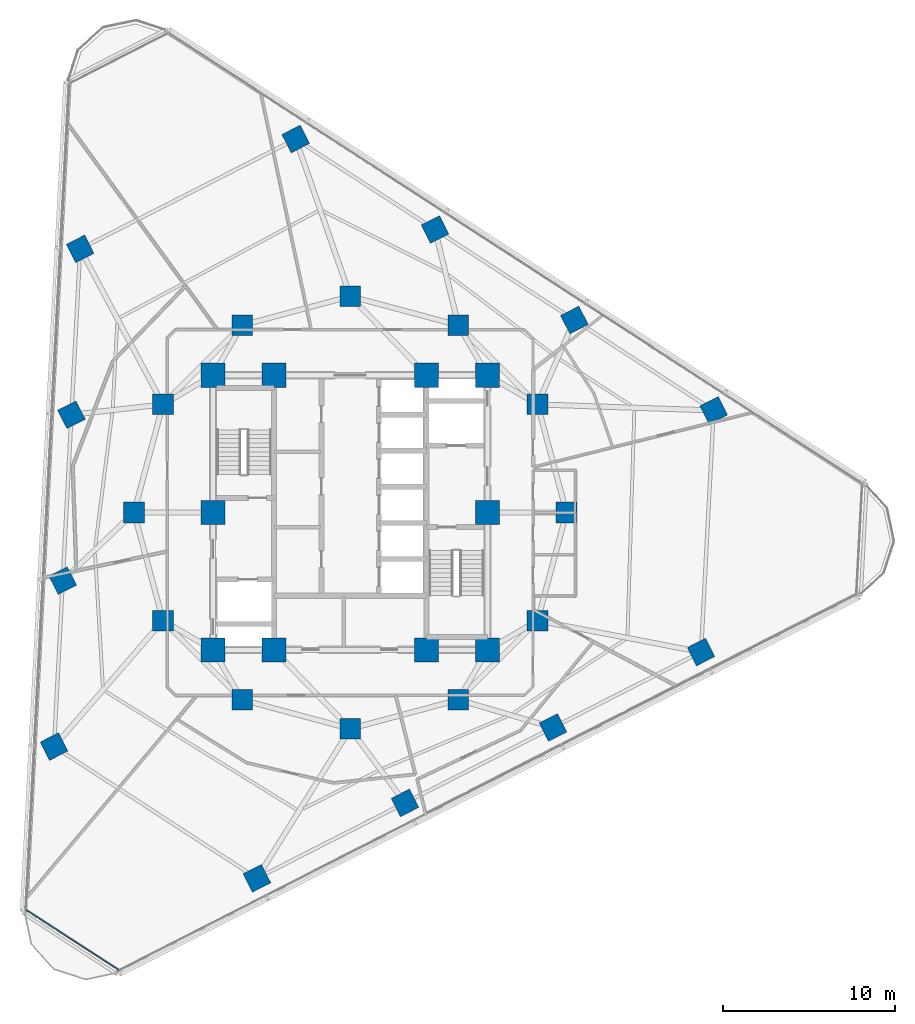
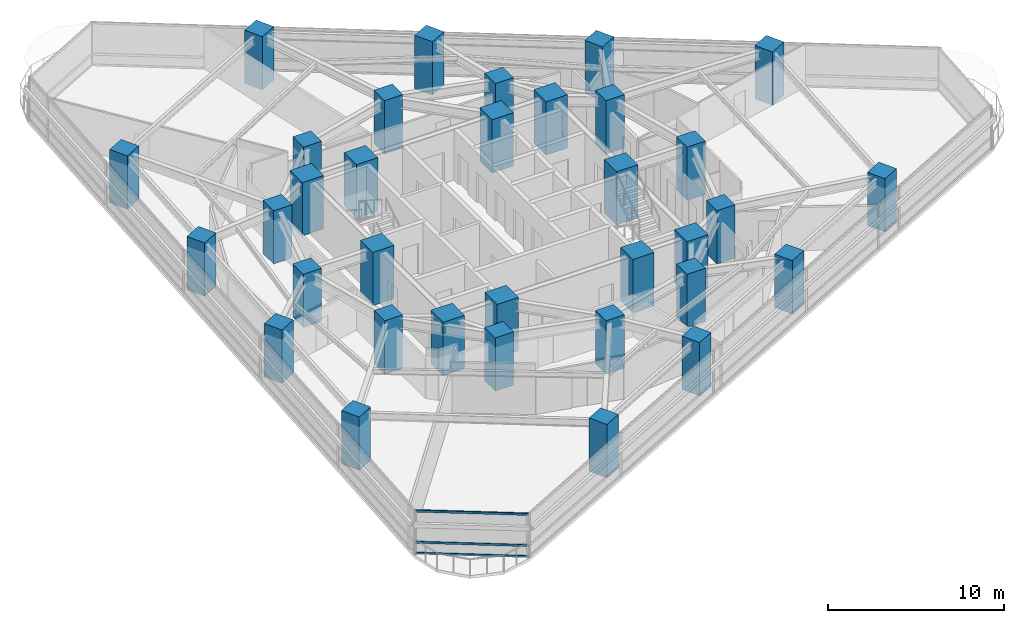
# One storey, part 1 of 14: 34 columns, 3 members, 1 element without a shape of its own.
"""IFC4 building model written with IfcOpenShell, lengths in metres."""

import ifcopenshell
import ifcopenshell.guid

model = None  # the IFC model being written
_history = None  # IfcOwnerHistory: only IFC2X3 demands one
_inside = {}  # id of a spatial element -> (the spatial element, [elements in it])
_under = {}  # id of a project, library or spatial element -> (it, [spatial elements below it])
_declared = {}  # id of a project -> (the project, [libraries it declares])
_typed = {}  # id of a type object -> (the type object, [elements of that type])
_made_of = {}  # id of a material, layer set ... -> (it, [elements and type objects made of it])


def new_model(schema):
    """Start an empty IFC model of exactly this schema.

    Asked for "IFC4X3", IfcOpenShell would pick the latest addendum, in which some entities
    have other attributes; the version numbers below select the first issue.
    IFC2X3 requires an IfcOwnerHistory on every rooted entity: one is made here for all.
    """
    global model, _history
    if schema == "IFC4X3":
        model = ifcopenshell.file(schema_version=(4, 3, 0, 0))
    else:
        model = ifcopenshell.file(schema=schema)
    _inside.clear()
    _under.clear()
    _declared.clear()
    _typed.clear()
    _made_of.clear()
    _history = None
    if model.schema == "IFC2X3":
        org = make("IfcOrganization", Name="unknown")
        user = make(
            "IfcPersonAndOrganization",
            ThePerson=make("IfcPerson", FamilyName="unknown"),
            TheOrganization=org,
        )
        app = make(
            "IfcApplication",
            ApplicationDeveloper=org,
            Version="unknown",
            ApplicationFullName="unknown",
            ApplicationIdentifier="unknown",
        )
        _history = make(
            "IfcOwnerHistory",
            OwningUser=user,
            OwningApplication=app,
            ChangeAction="ADDED",
            CreationDate=0,
        )
    return model


def make(cls, **values):
    """One entity of the class cls with the attributes given. An attribute that is None is left unset."""
    return model.create_entity(
        cls, **{name: value for name, value in values.items() if value is not None}
    )


def rooted(cls, **values):
    """An entity with a GlobalId (a new one), such as an element, a storey or a relation."""
    return make(cls, GlobalId=ifcopenshell.guid.new(), OwnerHistory=_history, **values)


def si_unit(unit_type, name, prefix=None):
    """IfcSIUnit, for example si_unit("LENGTHUNIT", "METRE", prefix="MILLI")."""
    return make("IfcSIUnit", UnitType=unit_type, Prefix=prefix, Name=name)


def assignment(units):
    """IfcUnitAssignment: the units of a project."""
    return None if units is None else make("IfcUnitAssignment", Units=units)


def point(xyz):
    """IfcCartesianPoint."""
    return None if xyz is None else make("IfcCartesianPoint", Coordinates=xyz)


def direction(xyz):
    """IfcDirection."""
    return None if xyz is None else make("IfcDirection", DirectionRatios=xyz)


def frame(location, z_axis=None, x_axis=None):
    """IfcAxis2Placement3D, a coordinate frame: its origin and axes. An axis left out is left unset."""
    return make(
        "IfcAxis2Placement3D",
        Location=point(location),
        Axis=direction(z_axis),
        RefDirection=direction(x_axis),
    )


def frame_2d(location, x_axis=None):
    """IfcAxis2Placement2D, a coordinate frame in the plane: its origin and x axis."""
    return make(
        "IfcAxis2Placement2D", Location=point(location), RefDirection=direction(x_axis)
    )


def origin():
    """The frame at (0, 0, 0) with its axes left unset."""
    return frame((0.0, 0.0, 0.0))


def origin_2d():
    """The frame at (0, 0) in the plane with its x axis left unset."""
    return frame_2d((0.0, 0.0))


def place(relative_to, where):
    """IfcLocalPlacement: puts the frame where relative to a parent placement (None: the world)."""
    return make(
        "IfcLocalPlacement", PlacementRelTo=relative_to, RelativePlacement=where
    )


def context(
    kind, dimensions, precision=None, world=None, true_north=None, identifier=None
):
    """IfcGeometricRepresentationContext, for example the 3D "Model" context."""
    return make(
        "IfcGeometricRepresentationContext",
        ContextIdentifier=identifier,
        ContextType=kind,
        CoordinateSpaceDimension=dimensions,
        Precision=precision,
        WorldCoordinateSystem=world,
        TrueNorth=true_north,
    )


def subcontext(parent, identifier, kind, view, scale=None):
    """IfcGeometricRepresentationSubContext, for example "Body" below "Model"."""
    return make(
        "IfcGeometricRepresentationSubContext",
        ContextIdentifier=identifier,
        ContextType=kind,
        ParentContext=parent,
        TargetScale=scale,
        TargetView=view,
    )


def project(units=None, contexts=None):
    """IfcProject with its units and contexts."""
    return rooted(
        "IfcProject",
        Name="project",
        RepresentationContexts=contexts,
        UnitsInContext=assignment(units),
    )


def spatial(cls, under=None, at=None, **own):
    """A site, building, storey or space (cls), placed at a placement, below another one or the project."""
    s = rooted(cls, ObjectPlacement=at, **own)
    if under is not None:
        _under.setdefault(under.id(), (under, []))[1].append(s)
    return s


def profile(cls, at=None, kind="AREA", **sizes):
    """A parametric profile (cls). Its sizes go by their IFC names, for example OverallWidth=200.0."""
    return make(cls, ProfileType=kind, Position=at, **sizes)


def rectangle(**sizes):
    """IfcRectangleProfileDef."""
    return profile("IfcRectangleProfileDef", **sizes)


def extrude(swept, where, along, depth):
    """IfcExtrudedAreaSolid: the profile swept, set in the frame where, extruded along a direction by depth."""
    return make(
        "IfcExtrudedAreaSolid",
        SweptArea=swept,
        Position=where,
        ExtrudedDirection=direction(along),
        Depth=depth,
    )


def shape(context_of_items, identifier, shape_type, items):
    """IfcShapeRepresentation: the items that make up one representation, for example the "Body"."""
    return make(
        "IfcShapeRepresentation",
        ContextOfItems=context_of_items,
        RepresentationIdentifier=identifier,
        RepresentationType=shape_type,
        Items=items,
    )


def material(Name=None, Category=None):
    """IfcMaterial."""
    return make("IfcMaterial", Name=Name, Category=Category)


def layer(
    of_material, thickness, ventilated=None, Name=None, Category=None, Priority=None
):
    """IfcMaterialLayer: one layer of a wall or slab, of a material (None: an air gap)."""
    return make(
        "IfcMaterialLayer",
        Material=of_material,
        LayerThickness=thickness,
        IsVentilated=ventilated,
        Name=Name,
        Category=Category,
        Priority=Priority,
    )


def layer_set(layers, Name=None):
    """IfcMaterialLayerSet."""
    return make("IfcMaterialLayerSet", MaterialLayers=layers, LayerSetName=Name)


def material_profile(
    of_material, cross_section, Name=None, Category=None, Priority=None
):
    """IfcMaterialProfile: a cross section and its material."""
    return make(
        "IfcMaterialProfile",
        Name=Name,
        Material=of_material,
        Profile=cross_section,
        Priority=Priority,
        Category=Category,
    )


def profile_set(profiles, Name=None, composite=None):
    """IfcMaterialProfileSet."""
    return make(
        "IfcMaterialProfileSet",
        Name=Name,
        MaterialProfiles=profiles,
        CompositeProfile=composite,
    )


def made_of(thing, what):
    """Note that an element or type object is made of a material, layer set ...; save() writes the relation."""
    if what is not None:
        _made_of.setdefault(what.id(), (what, []))[1].append(thing)
    return thing


def type_object(cls, material=None, **own):
    """A type object (cls), such as IfcWallType, which elements share."""
    return made_of(rooted(cls, **own), material)


def element(
    cls,
    number,
    at=None,
    inside=None,
    cuts=None,
    type_object=None,
    material=None,
    context=None,
    identifier="Body",
    shape_type=None,
    held_by="IfcProductDefinitionShape",
    body=None,
    shapes=None,
    **own,
):
    """One element of the class cls, such as IfcWall. Its Tag is "e" and its number.

    at: its placement. inside: the storey or other place that contains it. cuts: it is an
    opening in that element (IfcRelVoidsElement). A single representation is given by context,
    identifier, shape_type and body (its items); several are given by shapes. held_by: the class
    of the entity that holds the representations. save() writes the other relations.
    """
    e = rooted(cls, Tag="e%d" % number, ObjectPlacement=at, **own)
    if body is not None:
        shapes = [shape(context, identifier, shape_type, body)]
    if shapes is not None:
        e.Representation = make(held_by, Representations=shapes)
    if inside is not None:
        _inside.setdefault(inside.id(), (inside, []))[1].append(e)
    if cuts is not None:
        rooted(
            "IfcRelVoidsElement", RelatingBuildingElement=cuts, RelatedOpeningElement=e
        )
    if type_object is not None:
        _typed.setdefault(type_object.id(), (type_object, []))[1].append(e)
    return made_of(e, material)


def aggregate(whole, parts):
    """IfcRelAggregates: a whole, such as a stair, and the parts it consists of."""
    return rooted("IfcRelAggregates", RelatingObject=whole, RelatedObjects=parts)


def save(model, path):
    """Write the relations noted so far, then the file.

    IfcRelAggregates (storeys below a building ...), IfcRelContainedInSpatialStructure (elements
    in a storey), IfcRelDefinesByType, IfcRelAssociatesMaterial and IfcRelDeclares: one each for
    every whole, place, type object, material and project.
    """
    for whole, parts in _under.values():
        aggregate(whole, parts)
    for where, things in _inside.values():
        rooted(
            "IfcRelContainedInSpatialStructure",
            RelatedElements=things,
            RelatingStructure=where,
        )
    for kind, things in _typed.values():
        rooted("IfcRelDefinesByType", RelatedObjects=things, RelatingType=kind)
    for what, things in _made_of.values():
        rooted("IfcRelAssociatesMaterial", RelatedObjects=things, RelatingMaterial=what)
    for by, libraries in _declared.values():
        rooted("IfcRelDeclares", RelatingContext=by, RelatedDefinitions=libraries)
    model.write(path)


model = new_model("IFC4")

# Units and contexts
model_context = context("Model", 3, precision=1e-05, world=origin(), true_north=direction((0.0, 1.0)))
body_context = subcontext(model_context, "Body", "Model", "MODEL_VIEW")
ifc_project = project(units=[si_unit("LENGTHUNIT", "METRE"), si_unit("AREAUNIT", "SQUARE_METRE"), si_unit("VOLUMEUNIT", "CUBIC_METRE"), si_unit("PLANEANGLEUNIT", "RADIAN"), si_unit("MASSUNIT", "GRAM", prefix="KILO")], contexts=[model_context])

# Site, building, storey
site_placement = place(None, origin())
site = spatial("IfcSite", under=ifc_project, at=site_placement, CompositionType="ELEMENT")
building_placement = place(site_placement, origin())
building = spatial("IfcBuilding", under=site, at=building_placement, Name="Terralouvre Media Tower", CompositionType="ELEMENT")
storey_placement = place(building_placement, frame((0.0, 0.0, 127.300048828125)))
storey = spatial("IfcBuildingStorey", under=building, at=storey_placement, Name="L32", CompositionType="ELEMENT", Elevation=127.300048828125)

# Columns
ifc_material_1 = material(Name="Concrete C60/75", Category="concrete")
ifc_material_profile_1 = material_profile(ifc_material_1, rectangle(XDim=1.199951171875, YDim=1.199951171875, at=origin_2d()), Name="RC 1200x1200")
ifc_profile_set_1 = profile_set([ifc_material_profile_1], Name="Concrete C60/75")
column_type_1 = type_object("IfcColumnType", Name="Structural Column C-RC1200 (RC 1200x1200)", PredefinedType="COLUMN", material=ifc_profile_set_1)
for number, where, z_axis, x_axis, name in (
    (1, (12.60009765625, 0.0, 0.0), (0.0, 0.0, 1.0), (1.0, 0.0, 0.0), "L32 Mega-Frame Column MC01"),
    (2, (10.911865234375, 6.300048828125, 0.0), (0.0, 0.0, 1.0), (1.0, 0.0, 0.0), "L32 Mega-Frame Column MC02"),
    (3, (6.300048828125, 10.911865234375, 0.0), (0.0, 0.0, 1.0), (1.0, 0.0, 0.0), "L32 Mega-Frame Column MC03"),
    (4, (0.0, 12.60009765625, 0.0), (0.0, 0.0, 1.0), (1.0, 0.0, 0.0), "L32 Mega-Frame Column MC04"),
    (5, (-6.300048828125, 10.911865234375, 0.0), (0.0, 0.0, 1.0), (1.0, 0.0, 0.0), "L32 Mega-Frame Column MC05"),
    (6, (-10.911865234375, 6.300048828125, 0.0), (0.0, 0.0, 1.0), (1.0, 0.0, 0.0), "L32 Mega-Frame Column MC06"),
    (7, (-12.60009765625, 0.0, 0.0), (0.0, 0.0, 1.0), (1.0, 0.0, 0.0), "L32 Mega-Frame Column MC07"),
    (8, (-10.911865234375, -6.300048828125, 0.0), (0.0, 0.0, 1.0), (1.0, 0.0, 0.0), "L32 Mega-Frame Column MC08"),
    (9, (-6.300048828125, -10.911865234375, 0.0), (0.0, 0.0, 1.0), (1.0, 0.0, 0.0), "L32 Mega-Frame Column MC09"),
    (10, (0.0, -12.60009765625, 0.0), (0.0, 0.0, 1.0), (1.0, 0.0, 0.0), "L32 Mega-Frame Column MC10"),
    (11, (6.300048828125, -10.911865234375, 0.0), (0.0, 0.0, 1.0), (1.0, 0.0, 0.0), "L32 Mega-Frame Column MC11"),
    (12, (10.911865234375, -6.300048828125, 0.0), (0.0, 0.0, 1.0), (1.0, 0.0, 0.0), "L32 Mega-Frame Column MC12"),
    (13, (-5.4365234375, -21.31298828125, 0.0), (0.0, 0.0, 1.0), (0.891006524188, 0.45399049974, 0.0), "L32 Perimeter Mega-Column PC11"),
    (14, (3.188232421875, -16.91845703125, 0.0), (0.0, 0.0, 1.0), (0.891006524188, 0.45399049974, 0.0), "L32 Perimeter Mega-Column PC12"),
    (15, (11.813232421875, -12.523681640625, 0.0), (0.0, 0.0, 1.0), (0.891006524188, 0.45399049974, 0.0), "L32 Perimeter Mega-Column PC13"),
    (16, (20.438232421875, -8.129150390625, 0.0), (0.0, 0.0, 1.0), (0.891006524188, 0.45399049974, 0.0), "L32 Perimeter Mega-Column PC14"),
    (17, (21.176025390625, 5.9482421875, 0.0), (0.0, 0.0, 1.0), (0.891006524188, 0.45399049974, 0.0), "L32 Perimeter Mega-Column PC21"),
    (18, (13.0576171875, 11.220458984375, 0.0), (0.0, 0.0, 1.0), (0.891006524188, 0.45399049974, 0.0), "L32 Perimeter Mega-Column PC22"),
    (19, (4.939208984375, 16.492431640625, 0.0), (0.0, 0.0, 1.0), (0.891006524188, 0.45399049974, 0.0), "L32 Perimeter Mega-Column PC23"),
    (20, (-3.178955078125, 21.7646484375, 0.0), (0.0, 0.0, 1.0), (0.891006524188, 0.45399049974, 0.0), "L32 Perimeter Mega-Column PC24"),
    (21, (-15.7392578125, 15.36474609375, 0.0), (0.0, 0.0, 1.0), (0.891006524188, 0.45399049974, 0.0), "L32 Perimeter Mega-Column PC31"),
    (22, (-16.245849609375, 5.697998046875, 0.0), (0.0, 0.0, 1.0), (0.891006524188, 0.45399049974, 0.0), "L32 Perimeter Mega-Column PC32"),
    (23, (-16.75244140625, -3.96875, 0.0), (0.0, 0.0, 1.0), (0.891006524188, 0.45399049974, 0.0), "L32 Perimeter Mega-Column PC33"),
    (24, (-17.259033203125, -13.635498046875, 0.0), (0.0, 0.0, 1.0), (0.891006524188, 0.45399049974, 0.0), "L32 Perimeter Mega-Column PC34"),
):
    element("IfcColumn", number, at=place(storey_placement, frame(where, z_axis=z_axis, x_axis=x_axis)), inside=storey, type_object=column_type_1, Name=name, PredefinedType="COLUMN", context=body_context, shape_type="SweptSolid", body=[
        extrude(rectangle(XDim=1.199951171875, YDim=1.199951171875, at=origin_2d()), origin(), (0.0, 0.0, 1.0), 3.699951171875),
    ])
ifc_material_2 = material(Name="Concrete C60/75", Category="concrete")
ifc_material_profile_2 = material_profile(ifc_material_2, rectangle(XDim=1.39990234375, YDim=1.39990234375, at=origin_2d()), Name="RC 1400x1400")
ifc_profile_set_2 = profile_set([ifc_material_profile_2], Name="Concrete C60/75")
column_type_2 = type_object("IfcColumnType", Name="Structural Column C-RC1400 (RC 1400x1400)", PredefinedType="COLUMN", material=ifc_profile_set_2)
for number, where, z_axis, x_axis, name in (
    (25, (-8.0, -8.0, 0.0), (0.0, 0.0, 1.0), (1.0, 0.0, 0.0), "L32 Core Pilaster Column CP1"),
    (26, (-4.449951171875, -8.0, 0.0), (0.0, 0.0, 1.0), (1.0, 0.0, 0.0), "L32 Core Pilaster Column CP2"),
    (27, (4.449951171875, -8.0, 0.0), (0.0, 0.0, 1.0), (1.0, 0.0, 0.0), "L32 Core Pilaster Column CP10"),
    (28, (8.0, -8.0, 0.0), (0.0, 0.0, 1.0), (1.0, 0.0, 0.0), "L32 Core Pilaster Column CP3"),
    (29, (8.0, 0.0, 0.0), (0.0, 0.0, 1.0), (1.0, 0.0, 0.0), "L32 Core Pilaster Column CP4"),
    (30, (8.0, 8.0, 0.0), (0.0, 0.0, 1.0), (1.0, 0.0, 0.0), "L32 Core Pilaster Column CP5"),
    (31, (4.449951171875, 8.0, 0.0), (0.0, 0.0, 1.0), (1.0, 0.0, 0.0), "L32 Core Pilaster Column CP9"),
    (32, (-4.449951171875, 8.0, 0.0), (0.0, 0.0, 1.0), (1.0, 0.0, 0.0), "L32 Core Pilaster Column CP6"),
    (33, (-8.0, 8.0, 0.0), (0.0, 0.0, 1.0), (1.0, 0.0, 0.0), "L32 Core Pilaster Column CP7"),
    (34, (-8.0, 0.0, 0.0), (0.0, 0.0, 1.0), (1.0, 0.0, 0.0), "L32 Core Pilaster Column CP8"),
):
    element("IfcColumn", number, at=place(storey_placement, frame(where, z_axis=z_axis, x_axis=x_axis)), inside=storey, type_object=column_type_2, Name=name, PredefinedType="COLUMN", context=body_context, shape_type="SweptSolid", body=[
        extrude(rectangle(XDim=1.39990234375, YDim=1.39990234375, at=origin_2d()), origin(), (0.0, 0.0, 1.0), 3.699951171875),
    ])

# Curtain wall, members
ifc_material_3 = material(Name="Low-iron laminated double glazing with solar-control coating", Category="glass")
ifc_layer = layer(ifc_material_3, 0.1650390625, Name="Rounded Wind-Corner Curved Glazing CW-04")
ifc_layer_set = layer_set([ifc_layer], Name="Low-iron laminated double glazing with solar-control coating")
curtain_wall_type = type_object("IfcCurtainWallType", Name="Rounded Wind-Corner Curved Glazing CW-04", PredefinedType="NOTDEFINED", material=ifc_layer_set)
curtain_wall_placement = place(storey_placement, origin())
curtain_wall = element("IfcCurtainWall", 35, at=curtain_wall_placement, inside=storey, type_object=curtain_wall_type, Name="L32 Rounded Wind-Corner Curtain Wall C0", PredefinedType="NOTDEFINED")
ifc_material_4 = material(Name="Anodised extruded aluminium 6063-T6", Category="aluminium")
ifc_material_profile_3 = material_profile(ifc_material_4, rectangle(XDim=0.074951171875, YDim=0.14990234375, at=origin_2d()), Name="ALU 75x150")
ifc_profile_set_3 = profile_set([ifc_material_profile_3], Name="Anodised extruded aluminium 6063-T6")
member_type = type_object("IfcMemberType", Name="Curtain-Wall Horizontal Transom TR-150", PredefinedType="USERDEFINED", material=ifc_profile_set_3)
member_1_placement = place(storey_placement, frame((-18.875, -23.16015625, 0.037353515625), z_axis=(0.838682024338, -0.544621393311, 0.0), x_axis=(0.544621393311, 0.838682024338, 0.0)))
member_1 = element("IfcMember", 36, at=member_1_placement, type_object=member_type, Name="CW-04 transom 1.1", ObjectType="TRANSOM", PredefinedType="USERDEFINED", context=body_context, shape_type="SweptSolid", body=[
    extrude(rectangle(XDim=0.074951171875, YDim=0.14990234375, at=origin_2d()), origin(), (0.0, 0.0, 1.0), 6.431884765625),
])
member_2_placement = place(storey_placement, frame((-18.875, -23.16015625, 0.800048828125), z_axis=(0.838682024338, -0.544621393311, 0.0), x_axis=(0.544621393311, 0.838682024338, 0.0)))
member_2 = element("IfcMember", 37, at=member_2_placement, type_object=member_type, Name="CW-04 transom 1.2", ObjectType="TRANSOM", PredefinedType="USERDEFINED", context=body_context, shape_type="SweptSolid", body=[
    extrude(rectangle(XDim=0.074951171875, YDim=0.14990234375, at=origin_2d()), origin(), (0.0, 0.0, 1.0), 6.431884765625),
])
member_3_placement = place(storey_placement, frame((-18.875, -23.16015625, 2.96240234375), z_axis=(0.838682024338, -0.544621393311, 0.0), x_axis=(0.544621393311, 0.838682024338, 0.0)))
member_3 = element("IfcMember", 38, at=member_3_placement, type_object=member_type, Name="CW-04 transom 1.3", ObjectType="TRANSOM", PredefinedType="USERDEFINED", context=body_context, shape_type="SweptSolid", body=[
    extrude(rectangle(XDim=0.074951171875, YDim=0.14990234375, at=origin_2d()), origin(), (0.0, 0.0, 1.0), 6.431884765625),
])
aggregate(curtain_wall, [member_1, member_2, member_3])

save(model, "model.ifc")
